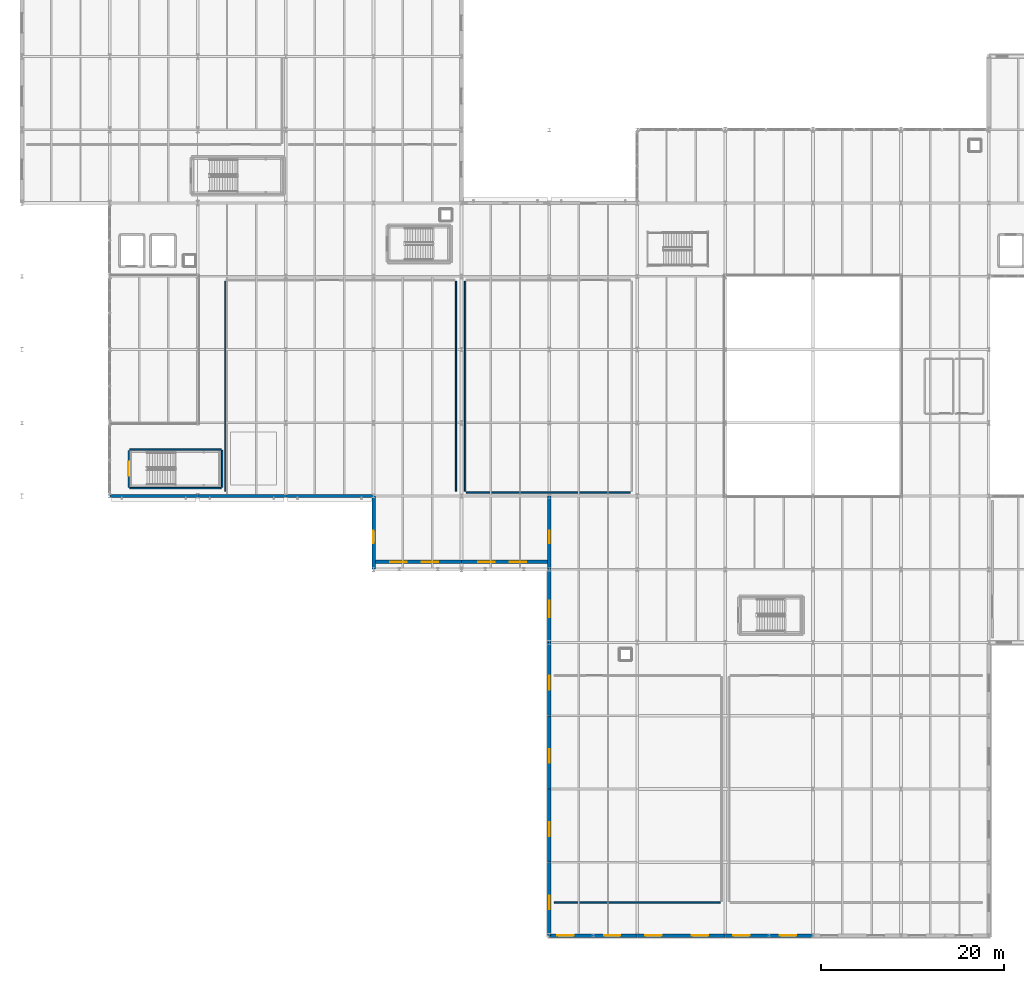
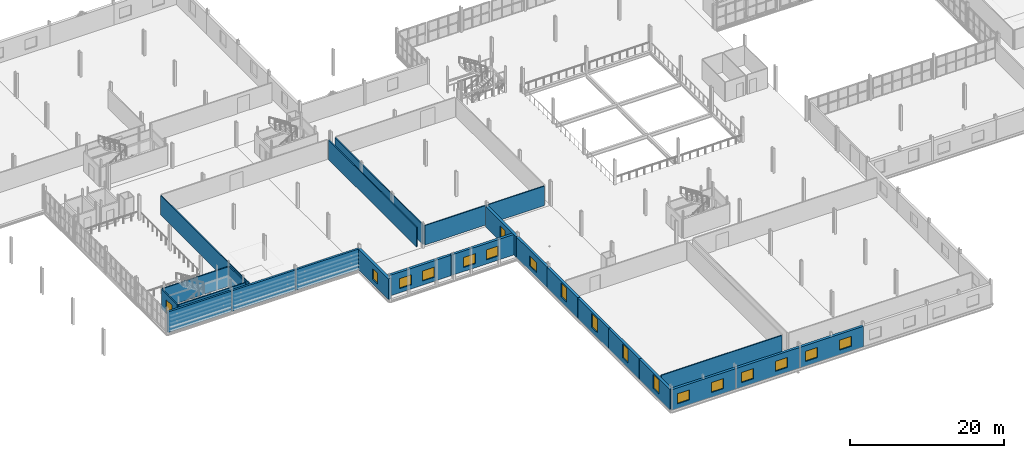
# One storey, part 59 of 78: 24 walls, 17 windows, 1 door, 18 openings.
"""IFC4 building model written with IfcOpenShell, lengths in metres."""

from ifc_helpers import new_model, si_unit, direction, frame, frame_2d, origin, place, context, subcontext, project, spatial, rectangle, extrude, material, layer, layer_set, type_object, element, fill, save


model = new_model("IFC4")

# Units and contexts
model_context = context("Model", 3, precision=1e-05, world=origin(), true_north=direction((0.0, 1.0)))
body_context = subcontext(model_context, "Body", "Model", "MODEL_VIEW")
ifc_project = project(units=[si_unit("LENGTHUNIT", "METRE"), si_unit("AREAUNIT", "SQUARE_METRE"), si_unit("VOLUMEUNIT", "CUBIC_METRE"), si_unit("PLANEANGLEUNIT", "RADIAN"), si_unit("MASSUNIT", "GRAM", prefix="KILO")], contexts=[model_context])

# Site, building, storey
site_placement = place(None, origin())
site = spatial("IfcSite", under=ifc_project, at=site_placement, CompositionType="ELEMENT")
building_placement = place(site_placement, origin())
building = spatial("IfcBuilding", under=site, at=building_placement, Name="Alderhovde Museum", CompositionType="ELEMENT")
storey_placement = place(building_placement, frame((0.0, 0.0, 4.5)))
storey = spatial("IfcBuildingStorey", under=building, at=storey_placement, Name="L01", CompositionType="ELEMENT", Elevation=4.5)

# Wall, openings, windows
ifc_material_1 = material(Name="Fluted Jura Limestone Beaux-Arts Wall", Category="masonry")
ifc_layer_1 = layer(ifc_material_1, 0.3798828125)
ifc_layer_set_1 = layer_set([ifc_layer_1], Name="Fluted Jura Limestone Beaux-Arts Wall")
wall_type_1 = type_object("IfcWallType", Name="EW-LIME-380", PredefinedType="SOLIDWALL", material=ifc_layer_set_1)
wall_1_placement = place(storey_placement, frame((48.02001953125, 40.800048828125, 0.0), z_axis=(0.0, 0.0, 1.0), x_axis=(1.0, 0.0, 0.0)))
wall_1 = element("IfcWall", 1, at=wall_1_placement, inside=storey, type_object=wall_type_1, Name="L01 Beaux-Arts Portico Colonnade Portal Wall 8", PredefinedType="SOLIDWALL", context=body_context, shape_type="SweptSolid", body=[
    extrude(rectangle(XDim=9.56005859375, YDim=0.3798828125, at=frame_2d((4.780029296875, 0.0))), origin(), (0.0, 0.0, 1.0), 3.260009765625),
])
opening_1_placement = place(wall_1_placement, frame((1.800048828125, 0.0, 0.64990234375)))
opening_1 = element("IfcOpeningElement", 2, at=opening_1_placement, cuts=wall_1, Name="Opening W13", PredefinedType="OPENING", context=body_context, shape_type="SweptSolid", body=[
    extrude(rectangle(XDim=1.800048828125, YDim=1.60009765625, at=frame_2d((0.89990234375, 0.800048828125))), frame((0.0, 0.199951171875, 0.0), z_axis=(0.0, -1.0, 0.0), x_axis=(1.0, 0.0, 0.0)), (0.0, 0.0, 1.0), 0.39990234375),
])
opening_2_placement = place(wall_1_placement, frame((5.25, 0.0, 0.64990234375)))
opening_2 = element("IfcOpeningElement", 3, at=opening_2_placement, cuts=wall_1, Name="Opening W13", PredefinedType="OPENING", context=body_context, shape_type="SweptSolid", body=[
    extrude(rectangle(XDim=1.800048828125, YDim=1.60009765625, at=frame_2d((0.89990234375, 0.800048828125))), frame((0.0, 0.199951171875, 0.0), z_axis=(0.0, -1.0, 0.0), x_axis=(1.0, 0.0, 0.0)), (0.0, 0.0, 1.0), 0.39990234375),
])
ifc_material_2 = material(Name="Triple-Glazed Low-E Bronze-Anodised Aluminium", Category="aluminium")
window_type_1 = type_object("IfcWindowType", Name="WIN-ATT-1800x1600", PartitioningType="DOUBLE_PANEL_VERTICAL", PredefinedType="WINDOW", material=ifc_material_2)
window_1_placement = place(opening_1_placement, origin())
window_1 = element("IfcWindow", 4, at=window_1_placement, inside=storey, type_object=window_type_1, Name="L01 Facade Window 7", OverallHeight=1.60009765625, OverallWidth=1.800048828125, PartitioningType="SINGLE_PANEL", PredefinedType="WINDOW", context=body_context, shape_type="SweptSolid", body=[
    extrude(rectangle(XDim=1.800048828125, YDim=1.60009765625, at=frame_2d((0.89990234375, 0.800048828125))), frame((0.0, 0.030029296875, 0.0), z_axis=(0.0, -1.0, 0.0), x_axis=(1.0, 0.0, 0.0)), (0.0, 0.0, 1.0), 0.06005859375),
])
fill(opening_1, window_1)
window_2_placement = place(opening_2_placement, origin())
window_2 = element("IfcWindow", 5, at=window_2_placement, inside=storey, type_object=window_type_1, Name="L01 Facade Window 8", OverallHeight=1.60009765625, OverallWidth=1.800048828125, PartitioningType="SINGLE_PANEL", PredefinedType="WINDOW", context=body_context, shape_type="SweptSolid", body=[
    extrude(rectangle(XDim=1.800048828125, YDim=1.60009765625, at=frame_2d((0.89990234375, 0.800048828125))), frame((0.0, 0.030029296875, 0.0), z_axis=(0.0, -1.0, 0.0), x_axis=(1.0, 0.0, 0.0)), (0.0, 0.0, 1.0), 0.06005859375),
])
fill(opening_2, window_2)

wall_2_placement = place(storey_placement, frame((57.6201171875, 40.800048828125, 0.0), z_axis=(0.0, 0.0, 1.0), x_axis=(1.0, 0.0, 0.0)))
wall_2 = element("IfcWall", 6, at=wall_2_placement, inside=storey, type_object=wall_type_1, Name="L01 Beaux-Arts Portico Colonnade Portal Wall 9", PredefinedType="SOLIDWALL", context=body_context, shape_type="SweptSolid", body=[
    extrude(rectangle(XDim=9.559814453125, YDim=0.3798828125, at=frame_2d((4.77978515625, 0.0))), origin(), (0.0, 0.0, 1.0), 3.260009765625),
])
opening_3_placement = place(wall_2_placement, frame((1.800048828125, 0.0, 0.64990234375)))
opening_3 = element("IfcOpeningElement", 7, at=opening_3_placement, cuts=wall_2, Name="Opening W13", PredefinedType="OPENING", context=body_context, shape_type="SweptSolid", body=[
    extrude(rectangle(XDim=1.800048828125, YDim=1.60009765625, at=frame_2d((0.89990234375, 0.800048828125))), frame((0.0, 0.199951171875, 0.0), z_axis=(0.0, -1.0, 0.0), x_axis=(1.0, 0.0, 0.0)), (0.0, 0.0, 1.0), 0.39990234375),
])
opening_4_placement = place(wall_2_placement, frame((5.25, 0.0, 0.64990234375)))
opening_4 = element("IfcOpeningElement", 8, at=opening_4_placement, cuts=wall_2, Name="Opening W13", PredefinedType="OPENING", context=body_context, shape_type="SweptSolid", body=[
    extrude(rectangle(XDim=1.800048828125, YDim=1.60009765625, at=frame_2d((0.89990234375, 0.800048828125))), frame((0.0, 0.199951171875, 0.0), z_axis=(0.0, -1.0, 0.0), x_axis=(1.0, 0.0, 0.0)), (0.0, 0.0, 1.0), 0.39990234375),
])
window_3_placement = place(opening_3_placement, origin())
window_3 = element("IfcWindow", 9, at=window_3_placement, inside=storey, type_object=window_type_1, Name="L01 Facade Window 9", OverallHeight=1.60009765625, OverallWidth=1.800048828125, PartitioningType="SINGLE_PANEL", PredefinedType="WINDOW", context=body_context, shape_type="SweptSolid", body=[
    extrude(rectangle(XDim=1.800048828125, YDim=1.60009765625, at=frame_2d((0.89990234375, 0.800048828125))), frame((0.0, 0.030029296875, 0.0), z_axis=(0.0, -1.0, 0.0), x_axis=(1.0, 0.0, 0.0)), (0.0, 0.0, 1.0), 0.06005859375),
])
fill(opening_3, window_3)
window_4_placement = place(opening_4_placement, origin())
window_4 = element("IfcWindow", 10, at=window_4_placement, inside=storey, type_object=window_type_1, Name="L01 Facade Window 10", OverallHeight=1.60009765625, OverallWidth=1.800048828125, PartitioningType="SINGLE_PANEL", PredefinedType="WINDOW", context=body_context, shape_type="SweptSolid", body=[
    extrude(rectangle(XDim=1.800048828125, YDim=1.60009765625, at=frame_2d((0.89990234375, 0.800048828125))), frame((0.0, 0.030029296875, 0.0), z_axis=(0.0, -1.0, 0.0), x_axis=(1.0, 0.0, 0.0)), (0.0, 0.0, 1.0), 0.06005859375),
])
fill(opening_4, window_4)

# Wall, opening, window
wall_3_placement = place(storey_placement, frame((48.0, 40.02001953125, 0.0), z_axis=(0.0, 0.0, 1.0), x_axis=(0.0, 1.0, 0.0)))
wall_3 = element("IfcWall", 11, at=wall_3_placement, inside=storey, type_object=wall_type_1, Name="L01 Beaux-Arts Portico Flank Wall 10", PredefinedType="SOLIDWALL", context=body_context, shape_type="SweptSolid", body=[
    extrude(rectangle(XDim=7.9599609375, YDim=0.3798828125, at=frame_2d((3.97998046875, 0.0))), origin(), (0.0, 0.0, 1.0), 3.260009765625),
])
opening_5_placement = place(wall_3_placement, frame((2.85009765625, 0.0, 0.719970703125)))
opening_5 = element("IfcOpeningElement", 12, at=opening_5_placement, cuts=wall_3, Name="Opening W28", PredefinedType="OPENING", context=body_context, shape_type="SweptSolid", body=[
    extrude(rectangle(XDim=1.35009765625, YDim=1.699951171875, at=frame_2d((0.675048828125, 0.85009765625))), frame((0.0, 0.199951171875, 0.0), z_axis=(0.0, -1.0, 0.0), x_axis=(1.0, 0.0, 0.0)), (0.0, 0.0, 1.0), 0.39990234375),
])
ifc_material_3 = material(Name="Triple-Glazed Low-E Bronze-Anodised Aluminium", Category="aluminium")
window_type_2 = type_object("IfcWindowType", Name="WIN-LAB-1350x1700", PartitioningType="SINGLE_PANEL", PredefinedType="WINDOW", material=ifc_material_3)
window_5_placement = place(opening_5_placement, origin())
window_5 = element("IfcWindow", 13, at=window_5_placement, inside=storey, type_object=window_type_2, Name="L01 Facade Window 11", OverallHeight=1.699951171875, OverallWidth=1.35009765625, PartitioningType="SINGLE_PANEL", PredefinedType="WINDOW", context=body_context, shape_type="SweptSolid", body=[
    extrude(rectangle(XDim=1.35009765625, YDim=1.699951171875, at=frame_2d((0.675048828125, 0.85009765625))), frame((0.0, 0.030029296875, 0.0), z_axis=(0.0, -1.0, 0.0), x_axis=(1.0, 0.0, 0.0)), (0.0, 0.0, 1.0), 0.06005859375),
])
fill(opening_5, window_5)

wall_4_placement = place(storey_placement, frame((67.199951171875, 40.02001953125, 0.0), z_axis=(0.0, 0.0, 1.0), x_axis=(0.0, 1.0, 0.0)))
wall_4 = element("IfcWall", 14, at=wall_4_placement, inside=storey, type_object=wall_type_1, Name="L01 Beaux-Arts Portico Flank Wall 11", PredefinedType="SOLIDWALL", context=body_context, shape_type="SweptSolid", body=[
    extrude(rectangle(XDim=7.9599609375, YDim=0.3798828125, at=frame_2d((3.97998046875, 0.0))), origin(), (0.0, 0.0, 1.0), 3.260009765625),
])
opening_6_placement = place(wall_4_placement, frame((2.85009765625, 0.0, 0.719970703125)))
opening_6 = element("IfcOpeningElement", 15, at=opening_6_placement, cuts=wall_4, Name="Opening W28", PredefinedType="OPENING", context=body_context, shape_type="SweptSolid", body=[
    extrude(rectangle(XDim=1.35009765625, YDim=1.699951171875, at=frame_2d((0.675048828125, 0.85009765625))), frame((0.0, 0.199951171875, 0.0), z_axis=(0.0, -1.0, 0.0), x_axis=(1.0, 0.0, 0.0)), (0.0, 0.0, 1.0), 0.39990234375),
])
window_6_placement = place(opening_6_placement, origin())
window_6 = element("IfcWindow", 16, at=window_6_placement, inside=storey, type_object=window_type_2, Name="L01 Facade Window 12", OverallHeight=1.699951171875, OverallWidth=1.35009765625, PartitioningType="SINGLE_PANEL", PredefinedType="WINDOW", context=body_context, shape_type="SweptSolid", body=[
    extrude(rectangle(XDim=1.35009765625, YDim=1.699951171875, at=frame_2d((0.675048828125, 0.85009765625))), frame((0.0, 0.030029296875, 0.0), z_axis=(0.0, -1.0, 0.0), x_axis=(1.0, 0.0, 0.0)), (0.0, 0.0, 1.0), 0.06005859375),
])
fill(opening_6, window_6)

wall_5_placement = place(storey_placement, frame((67.199951171875, 32.02001953125, 0.0), z_axis=(0.0, 0.0, 1.0), x_axis=(0.0, 1.0, 0.0)))
wall_5 = element("IfcWall", 17, at=wall_5_placement, inside=storey, type_object=wall_type_1, Name="L01 Courtyard Link West Granite Wall 13", PredefinedType="SOLIDWALL", context=body_context, shape_type="SweptSolid", body=[
    extrude(rectangle(XDim=7.9599609375, YDim=0.3798828125, at=frame_2d((3.97998046875, 0.0))), origin(), (0.0, 0.0, 1.0), 3.260009765625),
])
opening_7_placement = place(wall_5_placement, frame((2.75, 0.0, 0.719970703125)))
opening_7 = element("IfcOpeningElement", 18, at=opening_7_placement, cuts=wall_5, Name="Opening W13", PredefinedType="OPENING", context=body_context, shape_type="SweptSolid", body=[
    extrude(rectangle(XDim=1.800048828125, YDim=1.60009765625, at=frame_2d((0.89990234375, 0.800048828125))), frame((0.0, 0.199951171875, 0.0), z_axis=(0.0, -1.0, 0.0), x_axis=(1.0, 0.0, 0.0)), (0.0, 0.0, 1.0), 0.39990234375),
])
window_7_placement = place(opening_7_placement, origin())
window_7 = element("IfcWindow", 19, at=window_7_placement, inside=storey, type_object=window_type_1, Name="L01 Facade Window 14", OverallHeight=1.60009765625, OverallWidth=1.800048828125, PartitioningType="SINGLE_PANEL", PredefinedType="WINDOW", context=body_context, shape_type="SweptSolid", body=[
    extrude(rectangle(XDim=1.800048828125, YDim=1.60009765625, at=frame_2d((0.89990234375, 0.800048828125))), frame((0.0, 0.030029296875, 0.0), z_axis=(0.0, -1.0, 0.0), x_axis=(1.0, 0.0, 0.0)), (0.0, 0.0, 1.0), 0.06005859375),
])
fill(opening_7, window_7)

# Wall, openings, windows
wall_6_placement = place(storey_placement, frame((67.219970703125, 0.0, 0.0), z_axis=(0.0, 0.0, 1.0), x_axis=(1.0, 0.0, 0.0)))
wall_6 = element("IfcWall", 20, at=wall_6_placement, inside=storey, type_object=wall_type_1, Name="L01 Auditorium South Beaux-Arts Wall 98", PredefinedType="SOLIDWALL", context=body_context, shape_type="SweptSolid", body=[
    extrude(rectangle(XDim=9.56005859375, YDim=0.3798828125, at=frame_2d((4.780029296875, 0.0))), origin(), (0.0, 0.0, 1.0), 3.260009765625),
])
opening_8_placement = place(wall_6_placement, frame((0.85009765625, 0.0, 0.719970703125)))
opening_8 = element("IfcOpeningElement", 21, at=opening_8_placement, cuts=wall_6, Name="Opening W13", PredefinedType="OPENING", context=body_context, shape_type="SweptSolid", body=[
    extrude(rectangle(XDim=1.800048828125, YDim=1.60009765625, at=frame_2d((0.89990234375, 0.800048828125))), frame((0.0, 0.199951171875, 0.0), z_axis=(0.0, -1.0, 0.0), x_axis=(1.0, 0.0, 0.0)), (0.0, 0.0, 1.0), 0.39990234375),
])
opening_9_placement = place(wall_6_placement, frame((5.949951171875, 0.0, 0.719970703125)))
opening_9 = element("IfcOpeningElement", 22, at=opening_9_placement, cuts=wall_6, Name="Opening W13", PredefinedType="OPENING", context=body_context, shape_type="SweptSolid", body=[
    extrude(rectangle(XDim=1.800048828125, YDim=1.60009765625, at=frame_2d((0.89990234375, 0.800048828125))), frame((0.0, 0.199951171875, 0.0), z_axis=(0.0, -1.0, 0.0), x_axis=(1.0, 0.0, 0.0)), (0.0, 0.0, 1.0), 0.39990234375),
])
window_8_placement = place(opening_8_placement, origin())
window_8 = element("IfcWindow", 23, at=window_8_placement, inside=storey, type_object=window_type_1, Name="L01 Facade Window 69", OverallHeight=1.60009765625, OverallWidth=1.800048828125, PartitioningType="SINGLE_PANEL", PredefinedType="WINDOW", context=body_context, shape_type="SweptSolid", body=[
    extrude(rectangle(XDim=1.800048828125, YDim=1.60009765625, at=frame_2d((0.89990234375, 0.800048828125))), frame((0.0, 0.030029296875, 0.0), z_axis=(0.0, -1.0, 0.0), x_axis=(1.0, 0.0, 0.0)), (0.0, 0.0, 1.0), 0.06005859375),
])
fill(opening_8, window_8)
window_9_placement = place(opening_9_placement, origin())
window_9 = element("IfcWindow", 24, at=window_9_placement, inside=storey, type_object=window_type_1, Name="L01 Facade Window 70", OverallHeight=1.60009765625, OverallWidth=1.800048828125, PartitioningType="SINGLE_PANEL", PredefinedType="WINDOW", context=body_context, shape_type="SweptSolid", body=[
    extrude(rectangle(XDim=1.800048828125, YDim=1.60009765625, at=frame_2d((0.89990234375, 0.800048828125))), frame((0.0, 0.030029296875, 0.0), z_axis=(0.0, -1.0, 0.0), x_axis=(1.0, 0.0, 0.0)), (0.0, 0.0, 1.0), 0.06005859375),
])
fill(opening_9, window_9)

wall_7_placement = place(storey_placement, frame((76.820068359375, 0.0, 0.0), z_axis=(0.0, 0.0, 1.0), x_axis=(1.0, 0.0, 0.0)))
wall_7 = element("IfcWall", 25, at=wall_7_placement, inside=storey, type_object=wall_type_1, Name="L01 Auditorium South Beaux-Arts Wall 99", PredefinedType="SOLIDWALL", context=body_context, shape_type="SweptSolid", body=[
    extrude(rectangle(XDim=9.559814453125, YDim=0.3798828125, at=frame_2d((4.77978515625, 0.0))), origin(), (0.0, 0.0, 1.0), 3.260009765625),
])
opening_10_placement = place(wall_7_placement, frame((0.85009765625, 0.0, 0.719970703125)))
opening_10 = element("IfcOpeningElement", 26, at=opening_10_placement, cuts=wall_7, Name="Opening W13", PredefinedType="OPENING", context=body_context, shape_type="SweptSolid", body=[
    extrude(rectangle(XDim=1.800048828125, YDim=1.60009765625, at=frame_2d((0.89990234375, 0.800048828125))), frame((0.0, 0.199951171875, 0.0), z_axis=(0.0, -1.0, 0.0), x_axis=(1.0, 0.0, 0.0)), (0.0, 0.0, 1.0), 0.39990234375),
])
opening_11_placement = place(wall_7_placement, frame((5.949951171875, 0.0, 0.719970703125)))
opening_11 = element("IfcOpeningElement", 27, at=opening_11_placement, cuts=wall_7, Name="Opening W13", PredefinedType="OPENING", context=body_context, shape_type="SweptSolid", body=[
    extrude(rectangle(XDim=1.800048828125, YDim=1.60009765625, at=frame_2d((0.89990234375, 0.800048828125))), frame((0.0, 0.199951171875, 0.0), z_axis=(0.0, -1.0, 0.0), x_axis=(1.0, 0.0, 0.0)), (0.0, 0.0, 1.0), 0.39990234375),
])
window_10_placement = place(opening_10_placement, origin())
window_10 = element("IfcWindow", 28, at=window_10_placement, inside=storey, type_object=window_type_1, Name="L01 Facade Window 71", OverallHeight=1.60009765625, OverallWidth=1.800048828125, PartitioningType="SINGLE_PANEL", PredefinedType="WINDOW", context=body_context, shape_type="SweptSolid", body=[
    extrude(rectangle(XDim=1.800048828125, YDim=1.60009765625, at=frame_2d((0.89990234375, 0.800048828125))), frame((0.0, 0.030029296875, 0.0), z_axis=(0.0, -1.0, 0.0), x_axis=(1.0, 0.0, 0.0)), (0.0, 0.0, 1.0), 0.06005859375),
])
fill(opening_10, window_10)
window_11_placement = place(opening_11_placement, origin())
window_11 = element("IfcWindow", 29, at=window_11_placement, inside=storey, type_object=window_type_1, Name="L01 Facade Window 72", OverallHeight=1.60009765625, OverallWidth=1.800048828125, PartitioningType="SINGLE_PANEL", PredefinedType="WINDOW", context=body_context, shape_type="SweptSolid", body=[
    extrude(rectangle(XDim=1.800048828125, YDim=1.60009765625, at=frame_2d((0.89990234375, 0.800048828125))), frame((0.0, 0.030029296875, 0.0), z_axis=(0.0, -1.0, 0.0), x_axis=(1.0, 0.0, 0.0)), (0.0, 0.0, 1.0), 0.06005859375),
])
fill(opening_11, window_11)

wall_8_placement = place(storey_placement, frame((86.419921875, 0.0, 0.0), z_axis=(0.0, 0.0, 1.0), x_axis=(1.0, 0.0, 0.0)))
wall_8 = element("IfcWall", 30, at=wall_8_placement, inside=storey, type_object=wall_type_1, Name="L01 Auditorium South Beaux-Arts Wall 100", PredefinedType="SOLIDWALL", context=body_context, shape_type="SweptSolid", body=[
    extrude(rectangle(XDim=9.56005859375, YDim=0.3798828125, at=frame_2d((4.780029296875, 0.0))), origin(), (0.0, 0.0, 1.0), 3.260009765625),
])
opening_12_placement = place(wall_8_placement, frame((0.85009765625, 0.0, 0.719970703125)))
opening_12 = element("IfcOpeningElement", 31, at=opening_12_placement, cuts=wall_8, Name="Opening W13", PredefinedType="OPENING", context=body_context, shape_type="SweptSolid", body=[
    extrude(rectangle(XDim=1.800048828125, YDim=1.60009765625, at=frame_2d((0.89990234375, 0.800048828125))), frame((0.0, 0.199951171875, 0.0), z_axis=(0.0, -1.0, 0.0), x_axis=(1.0, 0.0, 0.0)), (0.0, 0.0, 1.0), 0.39990234375),
])
opening_13_placement = place(wall_8_placement, frame((5.949951171875, 0.0, 0.719970703125)))
opening_13 = element("IfcOpeningElement", 32, at=opening_13_placement, cuts=wall_8, Name="Opening W13", PredefinedType="OPENING", context=body_context, shape_type="SweptSolid", body=[
    extrude(rectangle(XDim=1.800048828125, YDim=1.60009765625, at=frame_2d((0.89990234375, 0.800048828125))), frame((0.0, 0.199951171875, 0.0), z_axis=(0.0, -1.0, 0.0), x_axis=(1.0, 0.0, 0.0)), (0.0, 0.0, 1.0), 0.39990234375),
])
window_12_placement = place(opening_12_placement, origin())
window_12 = element("IfcWindow", 33, at=window_12_placement, inside=storey, type_object=window_type_1, Name="L01 Facade Window 73", OverallHeight=1.60009765625, OverallWidth=1.800048828125, PartitioningType="SINGLE_PANEL", PredefinedType="WINDOW", context=body_context, shape_type="SweptSolid", body=[
    extrude(rectangle(XDim=1.800048828125, YDim=1.60009765625, at=frame_2d((0.89990234375, 0.800048828125))), frame((0.0, 0.030029296875, 0.0), z_axis=(0.0, -1.0, 0.0), x_axis=(1.0, 0.0, 0.0)), (0.0, 0.0, 1.0), 0.06005859375),
])
fill(opening_12, window_12)
window_13_placement = place(opening_13_placement, origin())
window_13 = element("IfcWindow", 34, at=window_13_placement, inside=storey, type_object=window_type_1, Name="L01 Facade Window 74", OverallHeight=1.60009765625, OverallWidth=1.800048828125, PartitioningType="SINGLE_PANEL", PredefinedType="WINDOW", context=body_context, shape_type="SweptSolid", body=[
    extrude(rectangle(XDim=1.800048828125, YDim=1.60009765625, at=frame_2d((0.89990234375, 0.800048828125))), frame((0.0, 0.030029296875, 0.0), z_axis=(0.0, -1.0, 0.0), x_axis=(1.0, 0.0, 0.0)), (0.0, 0.0, 1.0), 0.06005859375),
])
fill(opening_13, window_13)

# Wall, opening, window
wall_9_placement = place(storey_placement, frame((67.199951171875, 0.02001953125, 0.0), z_axis=(0.0, 0.0, 1.0), x_axis=(0.0, 1.0, 0.0)))
wall_9 = element("IfcWall", 35, at=wall_9_placement, inside=storey, type_object=wall_type_1, Name="L01 Auditorium West Granite Wall 103", PredefinedType="SOLIDWALL", context=body_context, shape_type="SweptSolid", body=[
    extrude(rectangle(XDim=7.9599609375, YDim=0.3798828125, at=frame_2d((3.97998046875, 0.0))), origin(), (0.0, 0.0, 1.0), 3.260009765625),
])
opening_14_placement = place(wall_9_placement, frame((2.85009765625, 0.0, 0.800048828125)))
opening_14 = element("IfcOpeningElement", 36, at=opening_14_placement, cuts=wall_9, Name="Opening W08", PredefinedType="OPENING", context=body_context, shape_type="SweptSolid", body=[
    extrude(rectangle(XDim=1.5, YDim=2.199951171875, at=frame_2d((0.75, 1.10009765625))), frame((0.0, 0.199951171875, 0.0), z_axis=(0.0, -1.0, 0.0), x_axis=(1.0, 0.0, 0.0)), (0.0, 0.0, 1.0), 0.39990234375),
])
ifc_material_4 = material(Name="Triple-Glazed Low-E Bronze-Anodised Aluminium", Category="aluminium")
window_type_3 = type_object("IfcWindowType", Name="WIN-BA-1500x2200", PartitioningType="SINGLE_PANEL", PredefinedType="WINDOW", material=ifc_material_4)
window_14_placement = place(opening_14_placement, origin())
window_14 = element("IfcWindow", 37, at=window_14_placement, inside=storey, type_object=window_type_3, Name="L01 Facade Window 79", OverallHeight=2.199951171875, OverallWidth=1.5, PartitioningType="SINGLE_PANEL", PredefinedType="WINDOW", context=body_context, shape_type="SweptSolid", body=[
    extrude(rectangle(XDim=1.5, YDim=2.199951171875, at=frame_2d((0.75, 1.10009765625))), frame((0.0, 0.030029296875, 0.0), z_axis=(0.0, -1.0, 0.0), x_axis=(1.0, 0.0, 0.0)), (0.0, 0.0, 1.0), 0.06005859375),
])
fill(opening_14, window_14)

wall_10_placement = place(storey_placement, frame((67.199951171875, 8.02001953125, 0.0), z_axis=(0.0, 0.0, 1.0), x_axis=(0.0, 1.0, 0.0)))
wall_10 = element("IfcWall", 38, at=wall_10_placement, inside=storey, type_object=wall_type_1, Name="L01 Auditorium West Granite Wall 105", PredefinedType="SOLIDWALL", context=body_context, shape_type="SweptSolid", body=[
    extrude(rectangle(XDim=7.9599609375, YDim=0.3798828125, at=frame_2d((3.97998046875, 0.0))), origin(), (0.0, 0.0, 1.0), 3.260009765625),
])
opening_15_placement = place(wall_10_placement, frame((2.85009765625, 0.0, 0.800048828125)))
opening_15 = element("IfcOpeningElement", 39, at=opening_15_placement, cuts=wall_10, Name="Opening W08", PredefinedType="OPENING", context=body_context, shape_type="SweptSolid", body=[
    extrude(rectangle(XDim=1.5, YDim=2.199951171875, at=frame_2d((0.75, 1.10009765625))), frame((0.0, 0.199951171875, 0.0), z_axis=(0.0, -1.0, 0.0), x_axis=(1.0, 0.0, 0.0)), (0.0, 0.0, 1.0), 0.39990234375),
])
window_15_placement = place(opening_15_placement, origin())
window_15 = element("IfcWindow", 40, at=window_15_placement, inside=storey, type_object=window_type_3, Name="L01 Facade Window 81", OverallHeight=2.199951171875, OverallWidth=1.5, PartitioningType="SINGLE_PANEL", PredefinedType="WINDOW", context=body_context, shape_type="SweptSolid", body=[
    extrude(rectangle(XDim=1.5, YDim=2.199951171875, at=frame_2d((0.75, 1.10009765625))), frame((0.0, 0.030029296875, 0.0), z_axis=(0.0, -1.0, 0.0), x_axis=(1.0, 0.0, 0.0)), (0.0, 0.0, 1.0), 0.06005859375),
])
fill(opening_15, window_15)

wall_11_placement = place(storey_placement, frame((67.199951171875, 16.02001953125, 0.0), z_axis=(0.0, 0.0, 1.0), x_axis=(0.0, 1.0, 0.0)))
wall_11 = element("IfcWall", 41, at=wall_11_placement, inside=storey, type_object=wall_type_1, Name="L01 Auditorium West Granite Wall 107", PredefinedType="SOLIDWALL", context=body_context, shape_type="SweptSolid", body=[
    extrude(rectangle(XDim=7.9599609375, YDim=0.3798828125, at=frame_2d((3.97998046875, 0.0))), origin(), (0.0, 0.0, 1.0), 3.260009765625),
])
opening_16_placement = place(wall_11_placement, frame((2.85009765625, 0.0, 0.800048828125)))
opening_16 = element("IfcOpeningElement", 42, at=opening_16_placement, cuts=wall_11, Name="Opening W08", PredefinedType="OPENING", context=body_context, shape_type="SweptSolid", body=[
    extrude(rectangle(XDim=1.5, YDim=2.199951171875, at=frame_2d((0.75, 1.10009765625))), frame((0.0, 0.199951171875, 0.0), z_axis=(0.0, -1.0, 0.0), x_axis=(1.0, 0.0, 0.0)), (0.0, 0.0, 1.0), 0.39990234375),
])
window_16_placement = place(opening_16_placement, origin())
window_16 = element("IfcWindow", 43, at=window_16_placement, inside=storey, type_object=window_type_3, Name="L01 Facade Window 83", OverallHeight=2.199951171875, OverallWidth=1.5, PartitioningType="SINGLE_PANEL", PredefinedType="WINDOW", context=body_context, shape_type="SweptSolid", body=[
    extrude(rectangle(XDim=1.5, YDim=2.199951171875, at=frame_2d((0.75, 1.10009765625))), frame((0.0, 0.030029296875, 0.0), z_axis=(0.0, -1.0, 0.0), x_axis=(1.0, 0.0, 0.0)), (0.0, 0.0, 1.0), 0.06005859375),
])
fill(opening_16, window_16)

wall_12_placement = place(storey_placement, frame((67.199951171875, 24.02001953125, 0.0), z_axis=(0.0, 0.0, 1.0), x_axis=(0.0, 1.0, 0.0)))
wall_12 = element("IfcWall", 44, at=wall_12_placement, inside=storey, type_object=wall_type_1, Name="L01 Auditorium West Granite Wall 109", PredefinedType="SOLIDWALL", context=body_context, shape_type="SweptSolid", body=[
    extrude(rectangle(XDim=7.9599609375, YDim=0.3798828125, at=frame_2d((3.97998046875, 0.0))), origin(), (0.0, 0.0, 1.0), 3.260009765625),
])
opening_17_placement = place(wall_12_placement, frame((2.85009765625, 0.0, 0.800048828125)))
opening_17 = element("IfcOpeningElement", 45, at=opening_17_placement, cuts=wall_12, Name="Opening W08", PredefinedType="OPENING", context=body_context, shape_type="SweptSolid", body=[
    extrude(rectangle(XDim=1.5, YDim=2.199951171875, at=frame_2d((0.75, 1.10009765625))), frame((0.0, 0.199951171875, 0.0), z_axis=(0.0, -1.0, 0.0), x_axis=(1.0, 0.0, 0.0)), (0.0, 0.0, 1.0), 0.39990234375),
])
window_17_placement = place(opening_17_placement, origin())
window_17 = element("IfcWindow", 46, at=window_17_placement, inside=storey, type_object=window_type_3, Name="L01 Facade Window 85", OverallHeight=2.199951171875, OverallWidth=1.5, PartitioningType="SINGLE_PANEL", PredefinedType="WINDOW", context=body_context, shape_type="SweptSolid", body=[
    extrude(rectangle(XDim=1.5, YDim=2.199951171875, at=frame_2d((0.75, 1.10009765625))), frame((0.0, 0.030029296875, 0.0), z_axis=(0.0, -1.0, 0.0), x_axis=(1.0, 0.0, 0.0)), (0.0, 0.0, 1.0), 0.06005859375),
])
fill(opening_17, window_17)

# Walls
ifc_material_5 = material(Name="Insulated Zinc-Clad Backing Wall")
ifc_layer_2 = layer(ifc_material_5, 0.300048828125)
ifc_layer_set_2 = layer_set([ifc_layer_2], Name="Insulated Zinc-Clad Backing Wall")
wall_type_2 = type_object("IfcWallType", Name="EW-ZINC-300", PredefinedType="SOLIDWALL", material=ifc_layer_set_2)
wall_13_placement = place(storey_placement, frame((19.219970703125, 48.0, 0.0), z_axis=(0.0, 0.0, 1.0), x_axis=(1.0, 0.0, 0.0)))
element("IfcWall", 47, at=wall_13_placement, inside=storey, type_object=wall_type_2, Name="L01 Folded Wing South Wall 17", PredefinedType="SOLIDWALL", context=body_context, shape_type="SweptSolid", body=[
    extrude(rectangle(XDim=9.56005859375, YDim=0.300048828125, at=frame_2d((4.780029296875, 0.0))), origin(), (0.0, 0.0, 1.0), 3.260009765625),
])
wall_14_placement = place(storey_placement, frame((28.820068359375, 48.0, 0.0), z_axis=(0.0, 0.0, 1.0), x_axis=(1.0, 0.0, 0.0)))
element("IfcWall", 48, at=wall_14_placement, inside=storey, type_object=wall_type_2, Name="L01 Folded Wing South Wall 18", PredefinedType="SOLIDWALL", context=body_context, shape_type="SweptSolid", body=[
    extrude(rectangle(XDim=9.559814453125, YDim=0.300048828125, at=frame_2d((4.77978515625, 0.0))), origin(), (0.0, 0.0, 1.0), 3.260009765625),
])
wall_15_placement = place(storey_placement, frame((38.419921875, 48.0, 0.0), z_axis=(0.0, 0.0, 1.0), x_axis=(1.0, 0.0, 0.0)))
element("IfcWall", 49, at=wall_15_placement, inside=storey, type_object=wall_type_2, Name="L01 Folded Wing South Wall 19", PredefinedType="SOLIDWALL", context=body_context, shape_type="SweptSolid", body=[
    extrude(rectangle(XDim=9.56005859375, YDim=0.300048828125, at=frame_2d((4.780029296875, 0.0))), origin(), (0.0, 0.0, 1.0), 3.260009765625),
])
ifc_material_6 = material(Name="Double-Stud Acoustic Auditorium Partition")
ifc_layer_3 = layer(ifc_material_6, 0.159912109375)
ifc_layer_set_3 = layer_set([ifc_layer_3], Name="Double-Stud Acoustic Auditorium Partition")
wall_type_3 = type_object("IfcWallType", Name="IW-ACOU-160", PredefinedType="PARTITIONING", material=ifc_layer_set_3)
wall_16_placement = place(storey_placement, frame((67.739990234375, 3.60009765625, 0.0), z_axis=(0.0, 0.0, 1.0), x_axis=(1.0, 0.0, 0.0)))
element("IfcWall", 50, at=wall_16_placement, inside=storey, type_object=wall_type_3, Name="L01 Acoustic Projection and Seminar Room Partition Wall S", PredefinedType="PARTITIONING", context=body_context, shape_type="SweptSolid", body=[
    extrude(rectangle(XDim=18.1201171875, YDim=0.159912109375, at=frame_2d((9.06005859375, 0.0))), origin(), (0.0, 0.0, 1.0), 3.10009765625),
])
ifc_material_7 = material(Name="Plywood-Backed Gallery Display Partition", Category="wood")
ifc_layer_4 = layer(ifc_material_7, 0.14990234375)
ifc_layer_set_4 = layer_set([ifc_layer_4], Name="Plywood-Backed Gallery Display Partition")
wall_type_4 = type_object("IfcWallType", Name="IW-GAL-150", PredefinedType="PARTITIONING", material=ifc_layer_set_4)
for number, where, z_axis, x_axis, name in (
    (51, (31.800048828125, 48.5400390625, 0.0), (0.0, 0.0, 1.0), (0.0, 1.0, 0.0), "L01 Classical Antiquities Gallery Partition Wall W"),
    (52, (57.0, 48.5400390625, 0.0), (0.0, 0.0, 1.0), (0.0, 1.0, 0.0), "L01 Classical Antiquities Gallery Partition Wall E"),
):
    element("IfcWall", number, at=place(storey_placement, frame(where, z_axis=z_axis, x_axis=x_axis)), inside=storey, type_object=wall_type_4, Name=name, PredefinedType="PARTITIONING", context=body_context, shape_type="SweptSolid", body=[
        extrude(rectangle(XDim=22.919921875, YDim=0.14990234375, at=frame_2d((11.4599609375, 0.0))), origin(), (0.0, 0.0, 1.0), 3.10009765625),
    ])
wall_17_placement = place(storey_placement, frame((58.139892578125, 48.39990234375, 0.0), z_axis=(0.0, 0.0, 1.0), x_axis=(1.0, 0.0, 0.0)))
element("IfcWall", 53, at=wall_17_placement, inside=storey, type_object=wall_type_4, Name="L01 Maritime Heritage Room Partition Wall S", PredefinedType="PARTITIONING", context=body_context, shape_type="SweptSolid", body=[
    extrude(rectangle(XDim=17.920166015625, YDim=0.14990234375, at=frame_2d((8.9599609375, 0.0))), origin(), (0.0, 0.0, 1.0), 3.10009765625),
])
wall_18_placement = place(storey_placement, frame((58.0, 48.5400390625, 0.0), z_axis=(0.0, 0.0, 1.0), x_axis=(0.0, 1.0, 0.0)))
element("IfcWall", 54, at=wall_18_placement, inside=storey, type_object=wall_type_4, Name="L01 Maritime Heritage Room Partition Wall W", PredefinedType="PARTITIONING", context=body_context, shape_type="SweptSolid", body=[
    extrude(rectangle(XDim=22.919921875, YDim=0.14990234375, at=frame_2d((11.4599609375, 0.0))), origin(), (0.0, 0.0, 1.0), 3.10009765625),
])

# Wall, opening, door
ifc_material_8 = material(Name="Fire-Resisting Stair Lobby Wall")
ifc_layer_5 = layer(ifc_material_8, 0.169921875)
ifc_layer_set_5 = layer_set([ifc_layer_5], Name="Fire-Resisting Stair Lobby Wall")
wall_type_5 = type_object("IfcWallType", Name="IW-STAIR-170", PredefinedType="SOLIDWALL", material=ifc_layer_set_5)
wall_19_placement = place(storey_placement, frame((21.260009765625, 48.9599609375, 0.0), z_axis=(0.0, 0.0, 1.0), x_axis=(0.0, 1.0, 0.0)))
wall_19 = element("IfcWall", 55, at=wall_19_placement, inside=storey, type_object=wall_type_5, Name="L01 Escape Stair ST1 Fire Wall W", PredefinedType="SOLIDWALL", context=body_context, shape_type="SweptSolid", body=[
    extrude(rectangle(XDim=4.0400390625, YDim=0.169921875, at=frame_2d((2.02001953125, 0.0))), origin(), (0.0, 0.0, 1.0), 3.10009765625),
])
opening_18_placement = place(wall_19_placement, frame((1.27001953125, 0.0, 0.0)))
opening_18 = element("IfcOpeningElement", 56, at=opening_18_placement, cuts=wall_19, Name="Opening FD-1", PredefinedType="OPENING", context=body_context, shape_type="SweptSolid", body=[
    extrude(rectangle(XDim=1.5, YDim=2.199951171875, at=frame_2d((0.75, 1.10009765625))), frame((0.0, 0.094970703125, 0.0), z_axis=(0.0, -1.0, 0.0), x_axis=(1.0, 0.0, 0.0)), (0.0, 0.0, 1.0), 0.18994140625),
])
ifc_material_9 = material(Name="Fire-Rated Steel Stair Escape Door (Steel/Oak)", Category="steel")
door_type = type_object("IfcDoorType", Name="FD-STAIR-1500x2200", OperationType="NOTDEFINED", PredefinedType="DOOR", material=ifc_material_9)
door_placement = place(opening_18_placement, origin())
door = element("IfcDoor", 57, at=door_placement, inside=storey, type_object=door_type, Name="L01 Escape Stair ST1 Fire Door", OperationType="SINGLE_SWING_LEFT", OverallHeight=2.199951171875, OverallWidth=1.5, PredefinedType="DOOR", context=body_context, shape_type="SweptSolid", body=[
    extrude(rectangle(XDim=1.5, YDim=2.199951171875, at=frame_2d((0.75, 1.10009765625))), frame((0.0, 0.02490234375, 0.0), z_axis=(0.0, -1.0, 0.0), x_axis=(1.0, 0.0, 0.0)), (0.0, 0.0, 1.0), 0.050048828125),
])
fill(opening_18, door)

# Walls
wall_20_placement = place(storey_placement, frame((31.4599609375, 48.9599609375, 0.0), z_axis=(0.0, 0.0, 1.0), x_axis=(0.0, 1.0, 0.0)))
element("IfcWall", 58, at=wall_20_placement, inside=storey, type_object=wall_type_5, Name="L01 Escape Stair ST1 Fire Wall E", PredefinedType="SOLIDWALL", context=body_context, shape_type="SweptSolid", body=[
    extrude(rectangle(XDim=4.0400390625, YDim=0.169921875, at=frame_2d((2.02001953125, 0.0))), origin(), (0.0, 0.0, 1.0), 3.10009765625),
])
for number, where, z_axis, x_axis, name in (
    (59, (21.360107421875, 48.860107421875, 0.0), (0.0, 0.0, 1.0), (1.0, 0.0, 0.0), "L01 Escape Stair ST1 Fire Wall S"),
    (60, (21.360107421875, 53.10009765625, 0.0), (0.0, 0.0, 1.0), (1.0, 0.0, 0.0), "L01 Escape Stair ST1 Fire Wall N"),
):
    element("IfcWall", number, at=place(storey_placement, frame(where, z_axis=z_axis, x_axis=x_axis)), inside=storey, type_object=wall_type_5, Name=name, PredefinedType="SOLIDWALL", context=body_context, shape_type="SweptSolid", body=[
        extrude(rectangle(XDim=10.0, YDim=0.169921875, at=frame_2d((5.0, 0.0))), origin(), (0.0, 0.0, 1.0), 3.10009765625),
    ])

save(model, "model.ifc")
